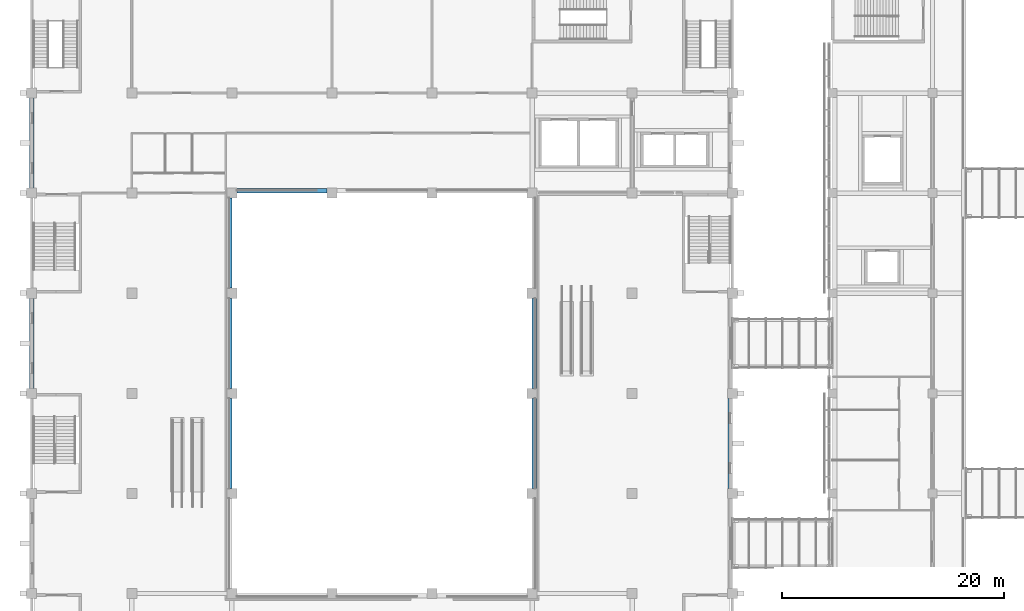
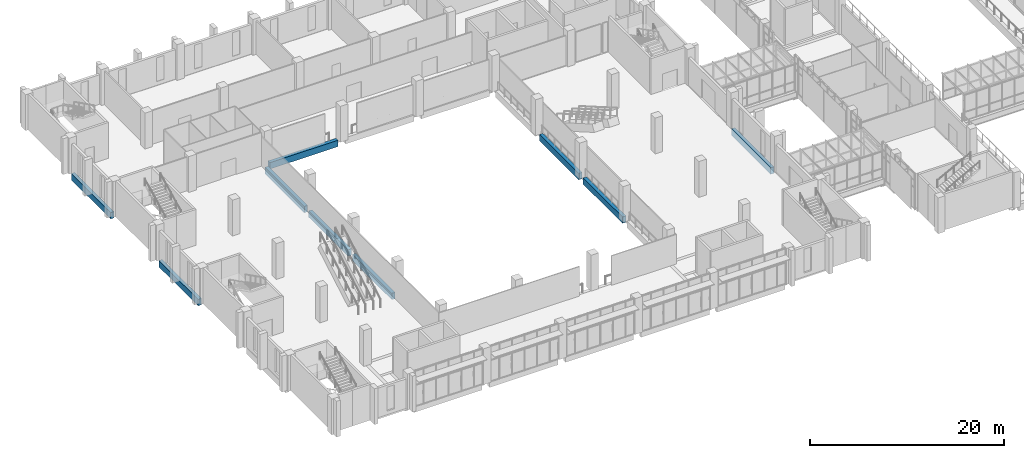
# One storey, part 12 of 88: 9 beams.
"""IFC4 building model written with IfcOpenShell, lengths in metres."""

from ifc_helpers import new_model, si_unit, direction, frame, origin, origin_2d, place, context, subcontext, project, spatial, rectangle, extrude, material, material_profile, profile_set, type_object, element, save


model = new_model("IFC4")

# Units and contexts
model_context = context("Model", 3, precision=1e-05, world=origin(), true_north=direction((0.0, 1.0)))
body_context = subcontext(model_context, "Body", "Model", "MODEL_VIEW")
ifc_project = project(units=[si_unit("LENGTHUNIT", "METRE"), si_unit("AREAUNIT", "SQUARE_METRE"), si_unit("VOLUMEUNIT", "CUBIC_METRE"), si_unit("PLANEANGLEUNIT", "RADIAN"), si_unit("MASSUNIT", "GRAM", prefix="KILO")], contexts=[model_context])

# Site, building, storey
site_placement = place(None, origin())
site = spatial("IfcSite", under=ifc_project, at=site_placement, CompositionType="ELEMENT")
building_placement = place(site_placement, origin())
building = spatial("IfcBuilding", under=site, at=building_placement, Name="Guidao Yard Department Store", CompositionType="ELEMENT")
storey_placement = place(building_placement, frame((0.0, 0.0, 6.0)))
storey = spatial("IfcBuildingStorey", under=building, at=storey_placement, Name="L01", CompositionType="ELEMENT", Elevation=6.0)

# Beams
ifc_material_1 = material(Name="Concrete C40", Category="concrete")
ifc_material_profile_1 = material_profile(ifc_material_1, rectangle(XDim=0.39990234375, YDim=0.800048828125, at=origin_2d()), Name="Edge beam 400 x 800 C40")
ifc_profile_set_1 = profile_set([ifc_material_profile_1], Name="Concrete C40")
beam_type_1 = type_object("IfcBeamType", Name="Edge beam 400 x 800 C40", PredefinedType="BEAM", material=ifc_profile_set_1)
for number, where, z_axis, x_axis, name in (
    (1, (45.199951171875, 63.449951171875, -0.39990234375), (0.0, 1.0, 0.0), (-1.0, 0.0, 0.0), "Beam EB19"),
    (2, (45.199951171875, 72.449951171875, -0.39990234375), (0.0, 1.0, 0.0), (-1.0, 0.0, 0.0), "Beam EB20"),
    (3, (18.449951171875, 90.199951171875, -0.39990234375), (1.0, 0.0, 0.0), (0.0, 1.0, 0.0), "Beam EB22"),
    (4, (17.800048828125, 63.449951171875, -0.39990234375), (0.0, 1.0, 0.0), (-1.0, 0.0, 0.0), "Beam EB26"),
    (5, (17.800048828125, 72.449951171875, -0.39990234375), (0.0, 1.0, 0.0), (-1.0, 0.0, 0.0), "Beam EB27"),
    (6, (17.800048828125, 81.449951171875, -0.39990234375), (0.0, 1.0, 0.0), (-1.0, 0.0, 0.0), "Beam EB28"),
):
    element("IfcBeam", number, at=place(storey_placement, frame(where, z_axis=z_axis, x_axis=x_axis)), inside=storey, type_object=beam_type_1, Name=name, PredefinedType="BEAM", context=body_context, shape_type="SweptSolid", body=[
        extrude(rectangle(XDim=0.39990234375, YDim=0.800048828125, at=origin_2d()), origin(), (0.0, 0.0, 1.0), 8.10009765625),
    ])
ifc_material_2 = material(Name="Concrete C40", Category="concrete")
ifc_material_profile_2 = material_profile(ifc_material_2, rectangle(XDim=0.39990234375, YDim=0.800048828125, at=origin_2d()), Name="Spandrel beam 400 x 800 C40")
ifc_profile_set_2 = profile_set([ifc_material_profile_2], Name="Concrete C40")
beam_type_2 = type_object("IfcBeamType", Name="Spandrel beam 400 x 800 C40", PredefinedType="SPANDREL", material=ifc_profile_set_2)
for number, where, z_axis, x_axis, name in (
    (7, (0.0, 72.449951171875, -0.39990234375), (0.0, 1.0, 0.0), (-1.0, 0.0, 0.0), "Beam EB07"),
    (8, (0.0, 90.449951171875, -0.39990234375), (0.0, 1.0, 0.0), (-1.0, 0.0, 0.0), "Beam EB08"),
    (9, (62.800048828125, 63.449951171875, -0.39990234375), (0.0, 1.0, 0.0), (-1.0, 0.0, 0.0), "Beam EB14"),
):
    element("IfcBeam", number, at=place(storey_placement, frame(where, z_axis=z_axis, x_axis=x_axis)), inside=storey, type_object=beam_type_2, Name=name, PredefinedType="SPANDREL", context=body_context, shape_type="SweptSolid", body=[
        extrude(rectangle(XDim=0.39990234375, YDim=0.800048828125, at=origin_2d()), origin(), (0.0, 0.0, 1.0), 8.10009765625),
    ])

save(model, "model.ifc")
